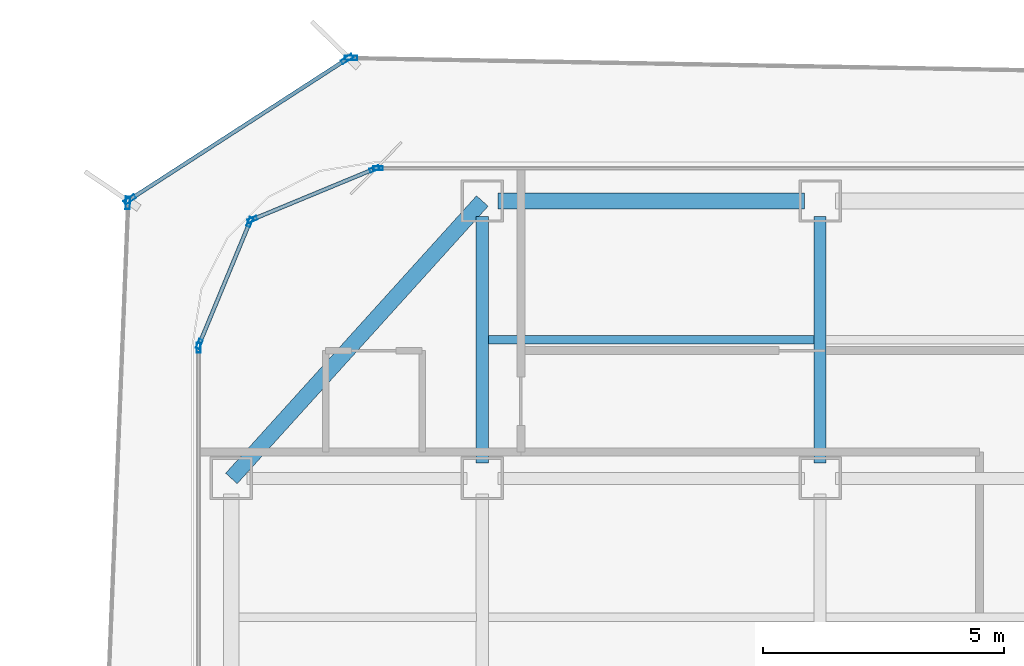
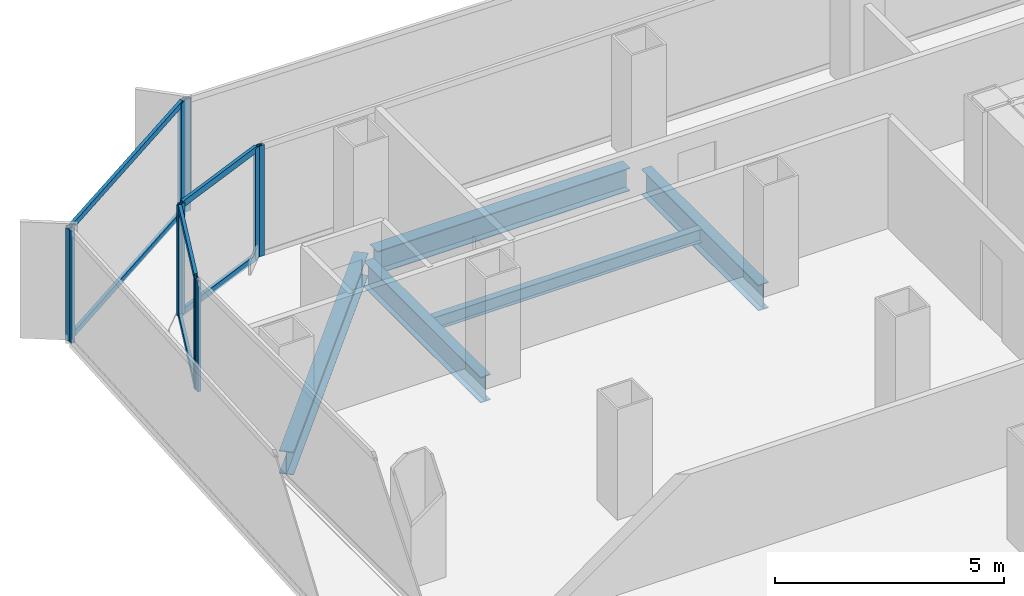
# One storey, part 10 of 21: 16 members, 5 beams, 7 elements without a shape of their own.
"""IFC4 building model written with IfcOpenShell, lengths in metres."""

from ifc_helpers import new_model, si_unit, direction, frame, origin, origin_2d, place, context, subcontext, project, spatial, hollow_rectangle, i_section, extrude, source, transform, mapped, material, layer, layer_set, material_profile, profile_set, type_object, element, aggregate, save


model = new_model("IFC4")

# Units and contexts
model_context = context("Model", 3, precision=1e-05, world=origin(), true_north=direction((0.0, 1.0)))
body_context = subcontext(model_context, "Body", "Model", "MODEL_VIEW")
ifc_project = project(units=[si_unit("LENGTHUNIT", "METRE"), si_unit("AREAUNIT", "SQUARE_METRE"), si_unit("VOLUMEUNIT", "CUBIC_METRE"), si_unit("PLANEANGLEUNIT", "RADIAN"), si_unit("MASSUNIT", "GRAM", prefix="KILO")], contexts=[model_context])

# Site, building, storey
site_placement = place(None, origin())
site = spatial("IfcSite", under=ifc_project, at=site_placement, CompositionType="ELEMENT")
building_placement = place(site_placement, origin())
building = spatial("IfcBuilding", under=site, at=building_placement, Name="Kolveth Station Tower", CompositionType="ELEMENT")
storey_placement = place(building_placement, frame((0.0, 0.0, 92.699951171875)))
storey = spatial("IfcBuildingStorey", under=building, at=storey_placement, Name="L24", CompositionType="ELEMENT", Elevation=92.699951171875)

# Beams
ifc_material_1 = material(Name="Steel S355", Category="steel")
ifc_material_profile_1 = material_profile(ifc_material_1, i_section(OverallWidth=0.323974609375, OverallDepth=0.611083984375, WebThickness=0.0126953125, FlangeThickness=0.01904296875, at=origin_2d()), Name="W610x155")
ifc_profile_set_1 = profile_set([ifc_material_profile_1], Name="Steel S355")
beam_type_1 = type_object("IfcBeamType", Name="Beam_SP2", PredefinedType="SPANDREL", material=ifc_profile_set_1)
shared_shape_1 = source(origin(), body_context, "Body", "SweptSolid", [
    extrude(i_section(OverallWidth=0.323974609375, OverallDepth=0.611083984375, WebThickness=0.0126953125, FlangeThickness=0.01904296875, at=origin_2d()), origin(), (0.0, 0.0, 1.0), 6.35986328125),
])
beam_1_placement = place(storey_placement, frame((6.320068359375, 34.5, -0.555419921875), z_axis=(1.0, 0.0, 0.0), x_axis=(0.0, 1.0, 0.0)))
element("IfcBeam", 1, at=beam_1_placement, inside=storey, type_object=beam_type_1, Name="L24 Perimeter Spandrel BM-L24-PN-1", PredefinedType="SPANDREL", context=body_context, shape_type="MappedRepresentation", body=[
    mapped(shared_shape_1, transform((0.0, 0.0, 0.0), x_axis=(1.0, 0.0, 0.0), y_axis=(0.0, 1.0, 0.0), z_axis=(0.0, 0.0, 1.0), scale=1.0)),
])
shared_shape_2 = source(origin(), body_context, "Body", "SweptSolid", [
    extrude(i_section(OverallWidth=0.323974609375, OverallDepth=0.611083984375, WebThickness=0.0126953125, FlangeThickness=0.01904296875, at=origin_2d()), origin(), (0.0, 0.0, 1.0), 7.75244140625),
])
beam_2_placement = place(storey_placement, frame((6.0, 34.5, -0.555419921875), z_axis=(-0.670740965555, -0.74169168603, 0.0), x_axis=(0.74169168603, -0.670740965555, 0.0)))
element("IfcBeam", 2, at=beam_2_placement, inside=storey, type_object=beam_type_1, Name="L24 Corner Edge Girder BM-L24-CNR-NW", PredefinedType="SPANDREL", context=body_context, shape_type="MappedRepresentation", body=[
    mapped(shared_shape_2, transform((0.0, 0.0, 0.0), x_axis=(1.0, 0.0, 0.0), y_axis=(0.0, 1.0, 0.0), z_axis=(0.0, 0.0, 1.0), scale=1.0)),
])
ifc_material_profile_2 = material_profile(ifc_material_1, i_section(OverallWidth=0.25390625, OverallDepth=0.68798828125, WebThickness=0.01318359375, FlangeThickness=0.02099609375, at=origin_2d()), Name="W690x152")
ifc_profile_set_2 = profile_set([ifc_material_profile_2], Name="Steel S355")
beam_type_2 = type_object("IfcBeamType", Name="Beam_B4", PredefinedType="BEAM", material=ifc_profile_set_2)
shared_shape_3 = source(origin(), body_context, "Body", "SweptSolid", [
    extrude(i_section(OverallWidth=0.25390625, OverallDepth=0.68798828125, WebThickness=0.01318359375, FlangeThickness=0.02099609375, at=origin_2d()), origin(), (0.0, 0.0, 1.0), 5.10986328125),
])
for number, where, z_axis, x_axis, name in (
    (3, (6.0, 29.070068359375, -0.593994140625), (0.0, 1.0, 0.0), (-1.0, 0.0, 0.0), "L24 Primary Girder BM-L24-GX60-6"),
    (4, (13.0, 29.070068359375, -0.593994140625), (0.0, 1.0, 0.0), (-1.0, 0.0, 0.0), "L24 Primary Girder BM-L24-GX130-6"),
):
    element("IfcBeam", number, at=place(storey_placement, frame(where, z_axis=z_axis, x_axis=x_axis)), inside=storey, type_object=beam_type_2, Name=name, PredefinedType="BEAM", context=body_context, shape_type="MappedRepresentation", body=[
        mapped(shared_shape_3, transform((0.0, 0.0, 0.0), x_axis=(1.0, 0.0, 0.0), y_axis=(0.0, 1.0, 0.0), z_axis=(0.0, 0.0, 1.0), scale=1.0)),
    ])
ifc_material_profile_3 = material_profile(ifc_material_1, i_section(OverallWidth=0.1708984375, OverallDepth=0.35205078125, WebThickness=0.0068359375, FlangeThickness=0.009765625, at=origin_2d()), Name="W360x44")
ifc_profile_set_3 = profile_set([ifc_material_profile_3], Name="Steel S355")
beam_type_3 = type_object("IfcBeamType", Name="Beam_J2", PredefinedType="JOIST", material=ifc_profile_set_3)
shared_shape_4 = source(origin(), body_context, "Body", "SweptSolid", [
    extrude(i_section(OverallWidth=0.1708984375, OverallDepth=0.35205078125, WebThickness=0.0068359375, FlangeThickness=0.009765625, at=origin_2d()), origin(), (0.0, 0.0, 1.0), 6.75),
])
beam_3_placement = place(storey_placement, frame((6.125, 31.625, -0.426025390625), z_axis=(1.0, 0.0, 0.0), x_axis=(0.0, 1.0, 0.0)))
element("IfcBeam", 5, at=beam_3_placement, inside=storey, type_object=beam_type_3, Name="L24 Secondary Joist JST-L24-2-6", PredefinedType="JOIST", context=body_context, shape_type="MappedRepresentation", body=[
    mapped(shared_shape_4, transform((0.0, 0.0, 0.0), x_axis=(1.0, 0.0, 0.0), y_axis=(0.0, 1.0, 0.0), z_axis=(0.0, 0.0, 1.0), scale=1.0)),
])

# Curtain wall, member
ifc_material_2 = material(Name="Aluminium 6063-T6 and low-E dark glass", Category="aluminium")
ifc_layer_1 = layer(ifc_material_2, 0.18994140625)
ifc_layer_set_1 = layer_set([ifc_layer_1], Name="Aluminium 6063-T6 and low-E dark glass")
curtain_wall_type_1 = type_object("IfcCurtainWallType", Name="CurtainWall_CW-Z2", PredefinedType="NOTDEFINED", material=ifc_layer_set_1)
curtain_wall_1_placement = place(storey_placement, origin())
curtain_wall_1 = element("IfcCurtainWall", 6, at=curtain_wall_1_placement, inside=storey, type_object=curtain_wall_type_1, Name="L24 Inner Thermal Curtain Wall 6", PredefinedType="NOTDEFINED")
ifc_material_3 = material(Name="Black anodized aluminium 6063-T6", Category="aluminium")
ifc_material_profile_4 = material_profile(ifc_material_3, hollow_rectangle(XDim=0.080078125, YDim=0.199951171875, WallThickness=0.0048828125, at=origin_2d()), Name="ALU-80x200x5")
ifc_profile_set_4 = profile_set([ifc_material_profile_4], Name="Black anodized aluminium 6063-T6")
member_type_1 = type_object("IfcMemberType", Name="Mullion_ML2", PredefinedType="MULLION", material=ifc_profile_set_4)
shared_shape_5 = source(origin(), body_context, "Body", "SweptSolid", [
    extrude(hollow_rectangle(XDim=0.080078125, YDim=0.199951171875, WallThickness=0.0048828125, at=origin_2d()), origin(), (0.0, 0.0, 1.0), 2.949951171875),
])
member_1_placement = place(storey_placement, frame((3.840087890625, 35.179931640625, 0.0), z_axis=(0.0, 0.0, 1.0), x_axis=(0.0, -1.0, 0.0)))
member_1 = element("IfcMember", 7, at=member_1_placement, type_object=member_type_1, Name="CW-Z2 mullion 3", PredefinedType="MULLION", context=body_context, shape_type="MappedRepresentation", body=[
    mapped(shared_shape_5, transform((0.0, 0.0, 0.0), x_axis=(1.0, 0.0, 0.0), y_axis=(0.0, 1.0, 0.0), z_axis=(0.0, 0.0, 1.0), scale=1.0)),
])
aggregate(curtain_wall_1, [member_1])

# Curtain wall, members
curtain_wall_2_placement = place(storey_placement, origin())
curtain_wall_2 = element("IfcCurtainWall", 8, at=curtain_wall_2_placement, inside=storey, type_object=curtain_wall_type_1, Name="L24 Inner Thermal Curtain Wall 7", PredefinedType="NOTDEFINED")
member_2_placement = place(storey_placement, frame((3.762939453125, 35.164794921875, 0.0), z_axis=(0.0, 0.0, 1.0), x_axis=(0.38266326998, -0.923887883787, 0.0)))
member_2 = element("IfcMember", 9, at=member_2_placement, type_object=member_type_1, Name="CW-Z2 mullion 1", PredefinedType="MULLION", context=body_context, shape_type="MappedRepresentation", body=[
    mapped(shared_shape_5, transform((0.0, 0.0, 0.0), x_axis=(1.0, 0.0, 0.0), y_axis=(0.0, 1.0, 0.0), z_axis=(0.0, 0.0, 1.0), scale=1.0)),
])
member_3_placement = place(storey_placement, frame((1.23486328125, 34.117431640625, 0.0), z_axis=(0.0, 0.0, 1.0), x_axis=(0.38266326998, -0.923887883787, 0.0)))
member_3 = element("IfcMember", 10, at=member_3_placement, type_object=member_type_1, Name="CW-Z2 mullion 2", PredefinedType="MULLION", context=body_context, shape_type="MappedRepresentation", body=[
    mapped(shared_shape_5, transform((0.0, 0.0, 0.0), x_axis=(1.0, 0.0, 0.0), y_axis=(0.0, 1.0, 0.0), z_axis=(0.0, 0.0, 1.0), scale=1.0)),
])

curtain_wall_3_placement = place(storey_placement, origin())
curtain_wall_3 = element("IfcCurtainWall", 11, at=curtain_wall_3_placement, inside=storey, type_object=curtain_wall_type_1, Name="L24 Inner Thermal Curtain Wall 8", PredefinedType="NOTDEFINED")
member_4_placement = place(storey_placement, frame((1.182373046875, 34.065185546875, 0.0), z_axis=(0.0, 0.0, 1.0), x_axis=(0.923887883787, -0.38266326998, 0.0)))
member_4 = element("IfcMember", 12, at=member_4_placement, type_object=member_type_1, Name="CW-Z2 mullion 1", PredefinedType="MULLION", context=body_context, shape_type="MappedRepresentation", body=[
    mapped(shared_shape_5, transform((0.0, 0.0, 0.0), x_axis=(1.0, 0.0, 0.0), y_axis=(0.0, 1.0, 0.0), z_axis=(0.0, 0.0, 1.0), scale=1.0)),
])
member_5_placement = place(storey_placement, frame((0.13525390625, 31.536865234375, 0.0), z_axis=(0.0, 0.0, 1.0), x_axis=(0.923887883787, -0.38266326998, 0.0)))
member_5 = element("IfcMember", 13, at=member_5_placement, type_object=member_type_1, Name="CW-Z2 mullion 2", PredefinedType="MULLION", context=body_context, shape_type="MappedRepresentation", body=[
    mapped(shared_shape_5, transform((0.0, 0.0, 0.0), x_axis=(1.0, 0.0, 0.0), y_axis=(0.0, 1.0, 0.0), z_axis=(0.0, 0.0, 1.0), scale=1.0)),
])

# Curtain wall, member
curtain_wall_4_placement = place(storey_placement, origin())
curtain_wall_4 = element("IfcCurtainWall", 14, at=curtain_wall_4_placement, inside=storey, type_object=curtain_wall_type_1, Name="L24 Inner Thermal Curtain Wall 9", PredefinedType="NOTDEFINED")
member_6_placement = place(storey_placement, frame((0.1201171875, 31.4599609375, 0.0), z_axis=(0.0, 0.0, 1.0), x_axis=(1.0, 0.0, 0.0)))
member_6 = element("IfcMember", 15, at=member_6_placement, type_object=member_type_1, Name="CW-Z2 mullion 1", PredefinedType="MULLION", context=body_context, shape_type="MappedRepresentation", body=[
    mapped(shared_shape_5, transform((0.0, 0.0, 0.0), x_axis=(1.0, 0.0, 0.0), y_axis=(0.0, 1.0, 0.0), z_axis=(0.0, 0.0, 1.0), scale=1.0)),
])
aggregate(curtain_wall_4, [member_6])

# Member
ifc_material_profile_5 = material_profile(ifc_material_3, hollow_rectangle(XDim=0.080078125, YDim=0.169921875, WallThickness=0.0048828125, at=origin_2d()), Name="ALU-80x170x5")
ifc_profile_set_5 = profile_set([ifc_material_profile_5], Name="Black anodized aluminium 6063-T6")
member_type_2 = type_object("IfcMemberType", Name="Transom_TR2", PredefinedType="USERDEFINED", material=ifc_profile_set_5)
shared_shape_6 = source(origin(), body_context, "Body", "SweptSolid", [
    extrude(hollow_rectangle(XDim=0.080078125, YDim=0.169921875, WallThickness=0.0048828125, at=origin_2d()), origin(), (0.0, 0.0, 1.0), 2.656494140625),
])
member_7_placement = place(storey_placement, frame((3.72607421875, 35.1494140625, 0.0400390625), z_axis=(-0.923882422403, -0.382676455475, 0.0), x_axis=(0.382676455475, -0.923882422403, 0.0)))
member_7 = element("IfcMember", 16, at=member_7_placement, type_object=member_type_2, Name="CW-Z2 transom 1.1", ObjectType="TRANSOM", PredefinedType="USERDEFINED", context=body_context, shape_type="MappedRepresentation", body=[
    mapped(shared_shape_6, transform((0.0, 0.0, 0.0), x_axis=(1.0, 0.0, 0.0), y_axis=(0.0, 1.0, 0.0), z_axis=(0.0, 0.0, 1.0), scale=1.0)),
])

member_8_placement = place(storey_placement, frame((3.72607421875, 35.1494140625, 2.91015625), z_axis=(-0.923882422403, -0.382676455475, 0.0), x_axis=(0.382676455475, -0.923882422403, 0.0)))
member_8 = element("IfcMember", 17, at=member_8_placement, type_object=member_type_2, Name="CW-Z2 transom 1.2", ObjectType="TRANSOM", PredefinedType="USERDEFINED", context=body_context, shape_type="MappedRepresentation", body=[
    mapped(shared_shape_6, transform((0.0, 0.0, 0.0), x_axis=(1.0, 0.0, 0.0), y_axis=(0.0, 1.0, 0.0), z_axis=(0.0, 0.0, 1.0), scale=1.0)),
])

aggregate(curtain_wall_2, [member_2, member_3, member_7, member_8])

member_9_placement = place(storey_placement, frame((1.167236328125, 34.0283203125, 0.0400390625), z_axis=(-0.382676455475, -0.923882422403, 0.0), x_axis=(0.923882422403, -0.382676455475, 0.0)))
member_9 = element("IfcMember", 18, at=member_9_placement, type_object=member_type_2, Name="CW-Z2 transom 1.1", ObjectType="TRANSOM", PredefinedType="USERDEFINED", context=body_context, shape_type="MappedRepresentation", body=[
    mapped(shared_shape_6, transform((0.0, 0.0, 0.0), x_axis=(1.0, 0.0, 0.0), y_axis=(0.0, 1.0, 0.0), z_axis=(0.0, 0.0, 1.0), scale=1.0)),
])

member_10_placement = place(storey_placement, frame((1.167236328125, 34.0283203125, 2.91015625), z_axis=(-0.382676455475, -0.923882422403, 0.0), x_axis=(0.923882422403, -0.382676455475, 0.0)))
member_10 = element("IfcMember", 19, at=member_10_placement, type_object=member_type_2, Name="CW-Z2 transom 1.2", ObjectType="TRANSOM", PredefinedType="USERDEFINED", context=body_context, shape_type="MappedRepresentation", body=[
    mapped(shared_shape_6, transform((0.0, 0.0, 0.0), x_axis=(1.0, 0.0, 0.0), y_axis=(0.0, 1.0, 0.0), z_axis=(0.0, 0.0, 1.0), scale=1.0)),
])

aggregate(curtain_wall_3, [member_4, member_5, member_9, member_10])

# Curtain wall, member
ifc_material_4 = material(Name="Black anodized aluminium 6063-T6 and dark solar glass", Category="aluminium")
ifc_layer_2 = layer(ifc_material_4, 0.159912109375)
ifc_layer_set_2 = layer_set([ifc_layer_2], Name="Black anodized aluminium 6063-T6 and dark solar glass")
curtain_wall_type_2 = type_object("IfcCurtainWallType", Name="OUTER SKIN CW-OS", PredefinedType="NOTDEFINED", material=ifc_layer_set_2)
curtain_wall_5_placement = place(storey_placement, origin())
curtain_wall_5 = element("IfcCurtainWall", 20, at=curtain_wall_5_placement, inside=storey, type_object=curtain_wall_type_2, Name="L24 Outer Ventilated Skin Curtain Wall 4", PredefinedType="NOTDEFINED")
ifc_material_profile_6 = material_profile(ifc_material_3, hollow_rectangle(XDim=0.090087890625, YDim=0.260009765625, WallThickness=0.0048828125, at=origin_2d()), Name="ALU-90x260x5")
ifc_profile_set_6 = profile_set([ifc_material_profile_6], Name="Black anodized aluminium 6063-T6")
member_type_3 = type_object("IfcMemberType", Name="FIN MULLION ML-OS", PredefinedType="MULLION", material=ifc_profile_set_6)
shared_shape_7 = source(origin(), body_context, "Body", "SweptSolid", [
    extrude(hollow_rectangle(XDim=0.090087890625, YDim=0.260009765625, WallThickness=0.0048828125, at=origin_2d()), origin(), (0.0, 0.0, 1.0), 2.989990234375),
])
member_11_placement = place(storey_placement, frame((3.279296875, 37.466552734375, 0.0), z_axis=(0.0, 0.0, 1.0), x_axis=(-0.017958260709, -0.999838737433, 0.0)))
member_11 = element("IfcMember", 21, at=member_11_placement, type_object=member_type_3, Name="CW-OS mullion 2", PredefinedType="MULLION", context=body_context, shape_type="MappedRepresentation", body=[
    mapped(shared_shape_7, transform((0.0, 0.0, 0.0), x_axis=(1.0, 0.0, 0.0), y_axis=(0.0, 1.0, 0.0), z_axis=(0.0, 0.0, 1.0), scale=1.0)),
])
aggregate(curtain_wall_5, [member_11])

# Curtain wall, members
curtain_wall_6_placement = place(storey_placement, origin())
curtain_wall_6 = element("IfcCurtainWall", 22, at=curtain_wall_6_placement, inside=storey, type_object=curtain_wall_type_2, Name="L24 Outer Ventilated Skin Curtain Wall 5", PredefinedType="NOTDEFINED")
member_12_placement = place(storey_placement, frame((3.196533203125, 37.44287109375, 0.0), z_axis=(0.0, 0.0, 1.0), x_axis=(0.543000254499, -0.839732530997, 0.0)))
member_12 = element("IfcMember", 23, at=member_12_placement, type_object=member_type_3, Name="CW-OS mullion 1", PredefinedType="MULLION", context=body_context, shape_type="MappedRepresentation", body=[
    mapped(shared_shape_7, transform((0.0, 0.0, 0.0), x_axis=(1.0, 0.0, 0.0), y_axis=(0.0, 1.0, 0.0), z_axis=(0.0, 0.0, 1.0), scale=1.0)),
])
member_13_placement = place(storey_placement, frame((-1.305419921875, 34.53173828125, 0.0), z_axis=(0.0, 0.0, 1.0), x_axis=(0.543000254499, -0.839732530997, 0.0)))
member_13 = element("IfcMember", 24, at=member_13_placement, type_object=member_type_3, Name="CW-OS mullion 2", PredefinedType="MULLION", context=body_context, shape_type="MappedRepresentation", body=[
    mapped(shared_shape_7, transform((0.0, 0.0, 0.0), x_axis=(1.0, 0.0, 0.0), y_axis=(0.0, 1.0, 0.0), z_axis=(0.0, 0.0, 1.0), scale=1.0)),
])

# Curtain wall, member
curtain_wall_7_placement = place(storey_placement, origin())
curtain_wall_7 = element("IfcCurtainWall", 25, at=curtain_wall_7_placement, inside=storey, type_object=curtain_wall_type_2, Name="L24 Outer Ventilated Skin Curtain Wall 6", PredefinedType="NOTDEFINED")
member_14_placement = place(storey_placement, frame((-1.34521484375, 34.462158203125, 0.0), z_axis=(0.0, 0.0, 1.0), x_axis=(0.999168119643, -0.040780739196, 0.0)))
member_14 = element("IfcMember", 26, at=member_14_placement, type_object=member_type_3, Name="CW-OS mullion 1", PredefinedType="MULLION", context=body_context, shape_type="MappedRepresentation", body=[
    mapped(shared_shape_7, transform((0.0, 0.0, 0.0), x_axis=(1.0, 0.0, 0.0), y_axis=(0.0, 1.0, 0.0), z_axis=(0.0, 0.0, 1.0), scale=1.0)),
])
aggregate(curtain_wall_7, [member_14])

# Member
ifc_material_profile_7 = material_profile(ifc_material_3, hollow_rectangle(XDim=0.080078125, YDim=0.14990234375, WallThickness=0.0048828125, at=origin_2d()), Name="ALU-80x150x5")
ifc_profile_set_7 = profile_set([ifc_material_profile_7], Name="Black anodized aluminium 6063-T6")
member_type_4 = type_object("IfcMemberType", Name="Transom_TR-OS", PredefinedType="USERDEFINED", material=ifc_profile_set_7)
shared_shape_8 = source(origin(), body_context, "Body", "SweptSolid", [
    extrude(hollow_rectangle(XDim=0.080078125, YDim=0.14990234375, WallThickness=0.0048828125, at=origin_2d()), origin(), (0.0, 0.0, 1.0), 5.271484375),
])
member_15_placement = place(storey_placement, frame((3.158935546875, 37.41845703125, 0.0400390625), z_axis=(-0.839749038303, -0.542974725627, 0.0), x_axis=(0.542974725627, -0.839749038303, 0.0)))
member_15 = element("IfcMember", 27, at=member_15_placement, type_object=member_type_4, Name="CW-OS transom 1.1", ObjectType="TRANSOM", PredefinedType="USERDEFINED", context=body_context, shape_type="MappedRepresentation", body=[
    mapped(shared_shape_8, transform((0.0, 0.0, 0.0), x_axis=(1.0, 0.0, 0.0), y_axis=(0.0, 1.0, 0.0), z_axis=(0.0, 0.0, 1.0), scale=1.0)),
])

member_16_placement = place(storey_placement, frame((3.158935546875, 37.41845703125, 2.949951171875), z_axis=(-0.839749038303, -0.542974725627, 0.0), x_axis=(0.542974725627, -0.839749038303, 0.0)))
member_16 = element("IfcMember", 28, at=member_16_placement, type_object=member_type_4, Name="CW-OS transom 1.2", ObjectType="TRANSOM", PredefinedType="USERDEFINED", context=body_context, shape_type="MappedRepresentation", body=[
    mapped(shared_shape_8, transform((0.0, 0.0, 0.0), x_axis=(1.0, 0.0, 0.0), y_axis=(0.0, 1.0, 0.0), z_axis=(0.0, 0.0, 1.0), scale=1.0)),
])

aggregate(curtain_wall_6, [member_12, member_13, member_15, member_16])

save(model, "model.ifc")
